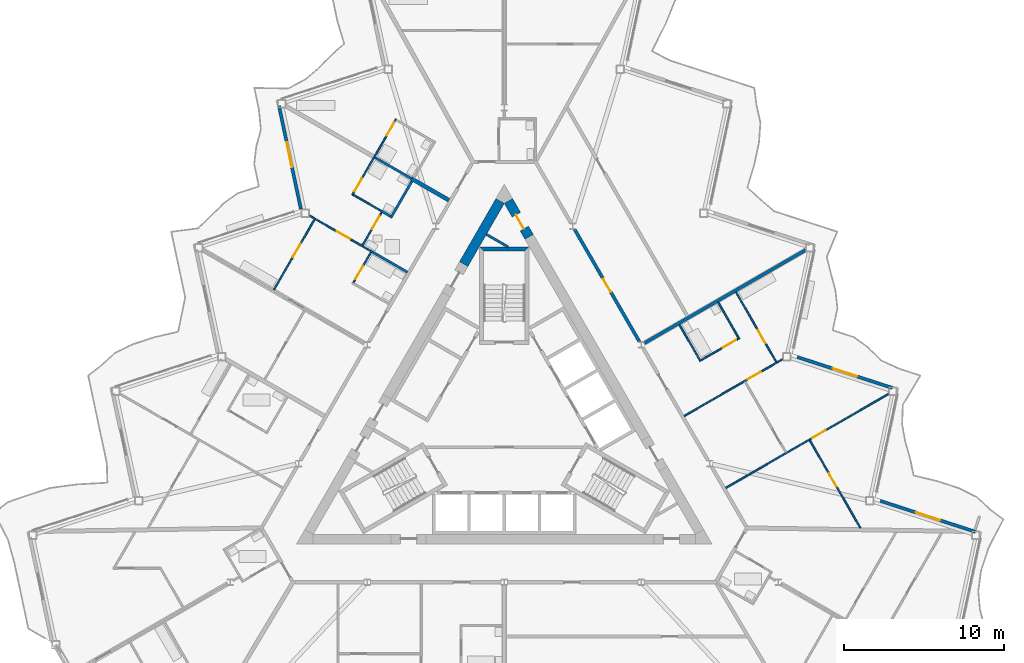
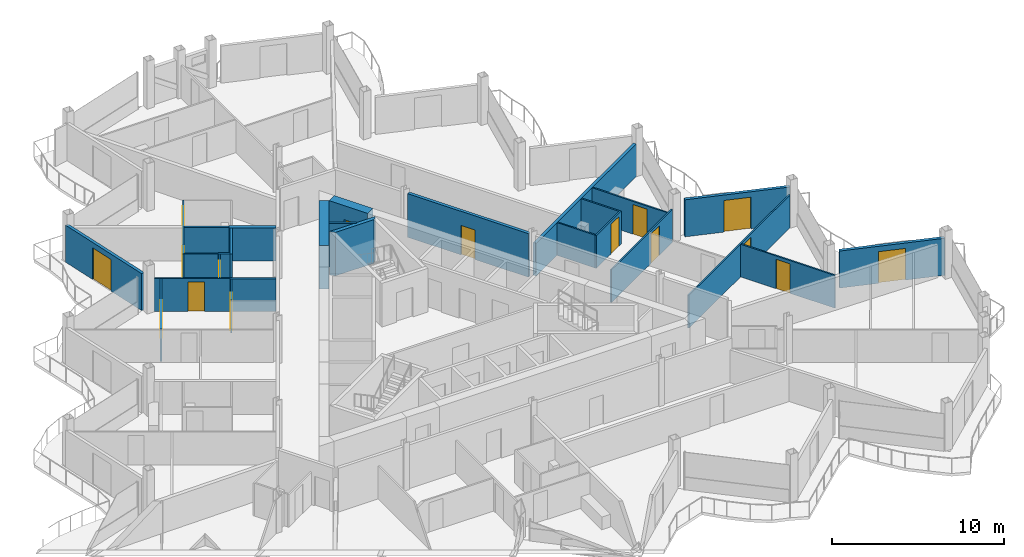
# One storey, part 16 of 26: 27 walls, 16 doors, 16 openings.
"""IFC4 building model written with IfcOpenShell, lengths in metres."""

import ifcopenshell
import ifcopenshell.guid

model = None  # the IFC model being written
_history = None  # IfcOwnerHistory: only IFC2X3 demands one
_inside = {}  # id of a spatial element -> (the spatial element, [elements in it])
_under = {}  # id of a project, library or spatial element -> (it, [spatial elements below it])
_declared = {}  # id of a project -> (the project, [libraries it declares])
_typed = {}  # id of a type object -> (the type object, [elements of that type])
_made_of = {}  # id of a material, layer set ... -> (it, [elements and type objects made of it])


def new_model(schema):
    """Start an empty IFC model of exactly this schema.

    Asked for "IFC4X3", IfcOpenShell would pick the latest addendum, in which some entities
    have other attributes; the version numbers below select the first issue.
    IFC2X3 requires an IfcOwnerHistory on every rooted entity: one is made here for all.
    """
    global model, _history
    if schema == "IFC4X3":
        model = ifcopenshell.file(schema_version=(4, 3, 0, 0))
    else:
        model = ifcopenshell.file(schema=schema)
    _inside.clear()
    _under.clear()
    _declared.clear()
    _typed.clear()
    _made_of.clear()
    _history = None
    if model.schema == "IFC2X3":
        org = make("IfcOrganization", Name="unknown")
        user = make(
            "IfcPersonAndOrganization",
            ThePerson=make("IfcPerson", FamilyName="unknown"),
            TheOrganization=org,
        )
        app = make(
            "IfcApplication",
            ApplicationDeveloper=org,
            Version="unknown",
            ApplicationFullName="unknown",
            ApplicationIdentifier="unknown",
        )
        _history = make(
            "IfcOwnerHistory",
            OwningUser=user,
            OwningApplication=app,
            ChangeAction="ADDED",
            CreationDate=0,
        )
    return model


def make(cls, **values):
    """One entity of the class cls with the attributes given. An attribute that is None is left unset."""
    return model.create_entity(
        cls, **{name: value for name, value in values.items() if value is not None}
    )


def rooted(cls, **values):
    """An entity with a GlobalId (a new one), such as an element, a storey or a relation."""
    return make(cls, GlobalId=ifcopenshell.guid.new(), OwnerHistory=_history, **values)


def si_unit(unit_type, name, prefix=None):
    """IfcSIUnit, for example si_unit("LENGTHUNIT", "METRE", prefix="MILLI")."""
    return make("IfcSIUnit", UnitType=unit_type, Prefix=prefix, Name=name)


def assignment(units):
    """IfcUnitAssignment: the units of a project."""
    return None if units is None else make("IfcUnitAssignment", Units=units)


def point(xyz):
    """IfcCartesianPoint."""
    return None if xyz is None else make("IfcCartesianPoint", Coordinates=xyz)


def direction(xyz):
    """IfcDirection."""
    return None if xyz is None else make("IfcDirection", DirectionRatios=xyz)


def frame(location, z_axis=None, x_axis=None):
    """IfcAxis2Placement3D, a coordinate frame: its origin and axes. An axis left out is left unset."""
    return make(
        "IfcAxis2Placement3D",
        Location=point(location),
        Axis=direction(z_axis),
        RefDirection=direction(x_axis),
    )


def frame_2d(location, x_axis=None):
    """IfcAxis2Placement2D, a coordinate frame in the plane: its origin and x axis."""
    return make(
        "IfcAxis2Placement2D", Location=point(location), RefDirection=direction(x_axis)
    )


def origin():
    """The frame at (0, 0, 0) with its axes left unset."""
    return frame((0.0, 0.0, 0.0))


def place(relative_to, where):
    """IfcLocalPlacement: puts the frame where relative to a parent placement (None: the world)."""
    return make(
        "IfcLocalPlacement", PlacementRelTo=relative_to, RelativePlacement=where
    )


def context(
    kind, dimensions, precision=None, world=None, true_north=None, identifier=None
):
    """IfcGeometricRepresentationContext, for example the 3D "Model" context."""
    return make(
        "IfcGeometricRepresentationContext",
        ContextIdentifier=identifier,
        ContextType=kind,
        CoordinateSpaceDimension=dimensions,
        Precision=precision,
        WorldCoordinateSystem=world,
        TrueNorth=true_north,
    )


def subcontext(parent, identifier, kind, view, scale=None):
    """IfcGeometricRepresentationSubContext, for example "Body" below "Model"."""
    return make(
        "IfcGeometricRepresentationSubContext",
        ContextIdentifier=identifier,
        ContextType=kind,
        ParentContext=parent,
        TargetScale=scale,
        TargetView=view,
    )


def project(units=None, contexts=None):
    """IfcProject with its units and contexts."""
    return rooted(
        "IfcProject",
        Name="project",
        RepresentationContexts=contexts,
        UnitsInContext=assignment(units),
    )


def spatial(cls, under=None, at=None, **own):
    """A site, building, storey or space (cls), placed at a placement, below another one or the project."""
    s = rooted(cls, ObjectPlacement=at, **own)
    if under is not None:
        _under.setdefault(under.id(), (under, []))[1].append(s)
    return s


def polyline(points):
    """IfcPolyline through the points."""
    return make("IfcPolyline", Points=[point(p) for p in points])


def profile(cls, at=None, kind="AREA", **sizes):
    """A parametric profile (cls). Its sizes go by their IFC names, for example OverallWidth=200.0."""
    return make(cls, ProfileType=kind, Position=at, **sizes)


def rectangle(**sizes):
    """IfcRectangleProfileDef."""
    return profile("IfcRectangleProfileDef", **sizes)


def outline(outer, holes=None, kind="AREA"):
    """IfcArbitraryClosedProfileDef: a profile drawn as a closed curve; with holes, ...WithVoids."""
    if holes is None:
        return make("IfcArbitraryClosedProfileDef", ProfileType=kind, OuterCurve=outer)
    return make(
        "IfcArbitraryProfileDefWithVoids",
        ProfileType=kind,
        OuterCurve=outer,
        InnerCurves=holes,
    )


def extrude(swept, where, along, depth):
    """IfcExtrudedAreaSolid: the profile swept, set in the frame where, extruded along a direction by depth."""
    return make(
        "IfcExtrudedAreaSolid",
        SweptArea=swept,
        Position=where,
        ExtrudedDirection=direction(along),
        Depth=depth,
    )


def shape(context_of_items, identifier, shape_type, items):
    """IfcShapeRepresentation: the items that make up one representation, for example the "Body"."""
    return make(
        "IfcShapeRepresentation",
        ContextOfItems=context_of_items,
        RepresentationIdentifier=identifier,
        RepresentationType=shape_type,
        Items=items,
    )


def material(Name=None, Category=None):
    """IfcMaterial."""
    return make("IfcMaterial", Name=Name, Category=Category)


def layer(
    of_material, thickness, ventilated=None, Name=None, Category=None, Priority=None
):
    """IfcMaterialLayer: one layer of a wall or slab, of a material (None: an air gap)."""
    return make(
        "IfcMaterialLayer",
        Material=of_material,
        LayerThickness=thickness,
        IsVentilated=ventilated,
        Name=Name,
        Category=Category,
        Priority=Priority,
    )


def layer_set(layers, Name=None):
    """IfcMaterialLayerSet."""
    return make("IfcMaterialLayerSet", MaterialLayers=layers, LayerSetName=Name)


def made_of(thing, what):
    """Note that an element or type object is made of a material, layer set ...; save() writes the relation."""
    if what is not None:
        _made_of.setdefault(what.id(), (what, []))[1].append(thing)
    return thing


def type_object(cls, material=None, **own):
    """A type object (cls), such as IfcWallType, which elements share."""
    return made_of(rooted(cls, **own), material)


def element(
    cls,
    number,
    at=None,
    inside=None,
    cuts=None,
    type_object=None,
    material=None,
    context=None,
    identifier="Body",
    shape_type=None,
    held_by="IfcProductDefinitionShape",
    body=None,
    shapes=None,
    **own,
):
    """One element of the class cls, such as IfcWall. Its Tag is "e" and its number.

    at: its placement. inside: the storey or other place that contains it. cuts: it is an
    opening in that element (IfcRelVoidsElement). A single representation is given by context,
    identifier, shape_type and body (its items); several are given by shapes. held_by: the class
    of the entity that holds the representations. save() writes the other relations.
    """
    e = rooted(cls, Tag="e%d" % number, ObjectPlacement=at, **own)
    if body is not None:
        shapes = [shape(context, identifier, shape_type, body)]
    if shapes is not None:
        e.Representation = make(held_by, Representations=shapes)
    if inside is not None:
        _inside.setdefault(inside.id(), (inside, []))[1].append(e)
    if cuts is not None:
        rooted(
            "IfcRelVoidsElement", RelatingBuildingElement=cuts, RelatedOpeningElement=e
        )
    if type_object is not None:
        _typed.setdefault(type_object.id(), (type_object, []))[1].append(e)
    return made_of(e, material)


def fill(opening, filler):
    """IfcRelFillsElement: the door or window that sits in an opening."""
    return rooted(
        "IfcRelFillsElement",
        RelatingOpeningElement=opening,
        RelatedBuildingElement=filler,
    )


def aggregate(whole, parts):
    """IfcRelAggregates: a whole, such as a stair, and the parts it consists of."""
    return rooted("IfcRelAggregates", RelatingObject=whole, RelatedObjects=parts)


def save(model, path):
    """Write the relations noted so far, then the file.

    IfcRelAggregates (storeys below a building ...), IfcRelContainedInSpatialStructure (elements
    in a storey), IfcRelDefinesByType, IfcRelAssociatesMaterial and IfcRelDeclares: one each for
    every whole, place, type object, material and project.
    """
    for whole, parts in _under.values():
        aggregate(whole, parts)
    for where, things in _inside.values():
        rooted(
            "IfcRelContainedInSpatialStructure",
            RelatedElements=things,
            RelatingStructure=where,
        )
    for kind, things in _typed.values():
        rooted("IfcRelDefinesByType", RelatedObjects=things, RelatingType=kind)
    for what, things in _made_of.values():
        rooted("IfcRelAssociatesMaterial", RelatedObjects=things, RelatingMaterial=what)
    for by, libraries in _declared.values():
        rooted("IfcRelDeclares", RelatingContext=by, RelatedDefinitions=libraries)
    model.write(path)


model = new_model("IFC4")

# Units and contexts
model_context = context("Model", 3, precision=1e-05, world=origin(), true_north=direction((0.0, 1.0)))
body_context = subcontext(model_context, "Body", "Model", "MODEL_VIEW")
ifc_project = project(units=[si_unit("LENGTHUNIT", "METRE"), si_unit("AREAUNIT", "SQUARE_METRE"), si_unit("VOLUMEUNIT", "CUBIC_METRE"), si_unit("PLANEANGLEUNIT", "RADIAN"), si_unit("MASSUNIT", "GRAM", prefix="KILO")], contexts=[model_context])

# Site, building, storey
site_placement = place(None, origin())
site = spatial("IfcSite", under=ifc_project, at=site_placement, CompositionType="ELEMENT")
building_placement = place(site_placement, origin())
building = spatial("IfcBuilding", under=site, at=building_placement, Name="Cormorant Prow Tower", CompositionType="ELEMENT")
storey_placement = place(building_placement, frame((0.0, 0.0, 384.800048828125)))
storey = spatial("IfcBuildingStorey", under=building, at=storey_placement, Name="L87", CompositionType="ELEMENT", Elevation=384.800048828125)

# Walls
ifc_material_1 = material(Name="Gypsum board partition")
ifc_layer_1 = layer(ifc_material_1, 0.14990234375)
ifc_layer_set_1 = layer_set([ifc_layer_1], Name="Gypsum board partition")
wall_type_1 = type_object("IfcWallType", Name="Core partition 150", PredefinedType="PARTITIONING", material=ifc_layer_set_1)
wall_1_placement = place(storey_placement, frame((-1.119140625, 11.872802734375, 0.0), z_axis=(0.0, 0.0, 1.0), x_axis=(0.865992812752, -0.500056445075, 0.0)))
element("IfcWall", 1, at=wall_1_placement, inside=storey, type_object=wall_type_1, Name="Service room partition", PredefinedType="PARTITIONING", context=body_context, shape_type="SweptSolid", body=[
    extrude(rectangle(XDim=1.581787109375, YDim=0.14990234375, at=frame_2d((0.791015625, 0.0))), origin(), (0.0, 0.0, 1.0), 3.099853515625),
])
ifc_material_2 = material(Name="Concrete 8000 psi", Category="concrete")
ifc_layer_2 = layer(ifc_material_2, 0.60009765625)
ifc_layer_set_2 = layer_set([ifc_layer_2], Name="Concrete 8000 psi")
wall_type_2 = type_object("IfcWallType", Name="Core shear wall 600", PredefinedType="SHEAR", material=ifc_layer_set_2)
wall_2_placement = place(storey_placement, frame((-0.259765625, 13.961181640625, 0.0), z_axis=(0.0, 0.0, 1.0), x_axis=(-0.499980485389, -0.866036670257, 0.0)))
element("IfcWall", 2, at=wall_2_placement, inside=storey, type_object=wall_type_2, Name="Core wall", PredefinedType="SHEAR", context=body_context, shape_type="SweptSolid", body=[
    extrude(rectangle(XDim=4.559326171875, YDim=0.60009765625, at=frame_2d((2.27978515625, 0.0))), origin(), (0.0, 0.0, 1.0), 3.099853515625),
])

# Wall, opening, door
wall_3_placement = place(storey_placement, frame((1.555908203125, 11.71630859375, 0.0), z_axis=(0.0, 0.0, 1.0), x_axis=(-0.500018667571, 0.866014625789, 0.0)))
wall_3 = element("IfcWall", 3, at=wall_3_placement, inside=storey, type_object=wall_type_2, Name="Core wall door panel", PredefinedType="SHEAR", context=body_context, shape_type="SweptSolid", body=[
    extrude(rectangle(XDim=2.59228515625, YDim=0.60009765625, at=frame_2d((1.296142578125, 0.0))), origin(), (0.0, 0.0, 1.0), 3.099853515625),
])
opening_1_placement = place(wall_3_placement, frame((0.60009765625, 0.0, 0.0)))
opening_1 = element("IfcOpeningElement", 4, at=opening_1_placement, cuts=wall_3, Name="Opening L87-C20", PredefinedType="OPENING", context=body_context, shape_type="SweptSolid", body=[
    extrude(rectangle(XDim=1.0, YDim=2.10009765625, at=frame_2d((0.5, 1.050048828125))), frame((0.0, 0.31005859375, 0.0), z_axis=(0.0, -1.0, 0.0), x_axis=(1.0, 0.0, 0.0)), (0.0, 0.0, 1.0), 0.6201171875),
])
ifc_material_3 = material(Name="Painted steel", Category="steel")
door_type_1 = type_object("IfcDoorType", Name="Service door 1000x2100", OperationType="NOTDEFINED", PredefinedType="DOOR", material=ifc_material_3)
door_1_placement = place(opening_1_placement, origin())
door_1 = element("IfcDoor", 5, at=door_1_placement, inside=storey, type_object=door_type_1, Name="Core door, Pantry store", OperationType="SINGLE_SWING_RIGHT", OverallHeight=2.10009765625, OverallWidth=1.0, PredefinedType="DOOR", context=body_context, shape_type="SweptSolid", body=[
    extrude(rectangle(XDim=1.0, YDim=2.10009765625, at=frame_2d((0.5, 1.050048828125))), frame((0.0, 0.05517578125, 0.0), z_axis=(0.0, -1.0, 0.0), x_axis=(1.0, 0.0, 0.0)), (0.0, 0.0, 1.0), 0.050048828125),
])
fill(opening_1, door_1)

ifc_material_4 = material(Name="Gypsum board corridor wall")
ifc_layer_3 = layer(ifc_material_4, 0.199951171875)
ifc_layer_set_3 = layer_set([ifc_layer_3], Name="Gypsum board corridor wall")
wall_type_3 = type_object("IfcWallType", Name="Corridor wall 200", PredefinedType="PARTITIONING", material=ifc_layer_set_3)
wall_4_placement = place(storey_placement, frame((4.403076171875, 12.184814453125, 0.0), z_axis=(0.0, 0.0, 1.0), x_axis=(0.499992155518, -0.866029932751, 0.0)))
wall_4 = element("IfcWall", 6, at=wall_4_placement, inside=storey, type_object=wall_type_3, Name="Corridor wall", PredefinedType="PARTITIONING", context=body_context, shape_type="SweptSolid", body=[
    extrude(rectangle(XDim=8.123291015625, YDim=0.199951171875, at=frame_2d((4.0615234375, 0.0))), origin(), (0.0, 0.0, 1.0), 3.099853515625),
])
opening_2_placement = place(wall_4_placement, frame((3.586669921875, 0.0, 0.0)))
opening_2 = element("IfcOpeningElement", 7, at=opening_2_placement, cuts=wall_4, Name="Opening L87-F23", PredefinedType="OPENING", context=body_context, shape_type="SweptSolid", body=[
    extrude(rectangle(XDim=0.949951171875, YDim=2.10009765625, at=frame_2d((0.47509765625, 1.050048828125))), frame((0.0, 0.10986328125, 0.0), z_axis=(0.0, -1.0, 0.0), x_axis=(1.0, 0.0, 0.0)), (0.0, 0.0, 1.0), 0.219970703125),
])
ifc_material_5 = material(Name="Timber door leaf", Category="wood")
door_type_2 = type_object("IfcDoorType", Name="Store door 950x2100", OperationType="NOTDEFINED", PredefinedType="DOOR", material=ifc_material_5)
door_2_placement = place(opening_2_placement, origin())
door_2 = element("IfcDoor", 8, at=door_2_placement, inside=storey, type_object=door_type_2, Name="Refuse room door", OperationType="SINGLE_SWING_LEFT", OverallHeight=2.10009765625, OverallWidth=0.949951171875, PredefinedType="DOOR", context=body_context, shape_type="SweptSolid", body=[
    extrude(rectangle(XDim=0.949951171875, YDim=2.10009765625, at=frame_2d((0.47509765625, 1.050048828125))), frame((0.0, 0.02490234375, 0.0), z_axis=(0.0, -1.0, 0.0), x_axis=(1.0, 0.0, 0.0)), (0.0, 0.0, 1.0), 0.050048828125),
])
fill(opening_2, door_2)

# Wall
ifc_material_6 = material(Name="Gypsum board demising wall")
ifc_layer_4 = layer(ifc_material_6, 0.199951171875)
ifc_layer_set_4 = layer_set([ifc_layer_4], Name="Gypsum board demising wall")
wall_type_4 = type_object("IfcWallType", Name="Demising wall 200", PredefinedType="PARTITIONING", material=ifc_layer_set_4)
wall_5_placement = place(storey_placement, frame((8.775390625, 5.06640625, 0.0), z_axis=(0.0, 0.0, 1.0), x_axis=(0.866023724155, 0.500002909193, 0.0)))
element("IfcWall", 9, at=wall_5_placement, inside=storey, type_object=wall_type_4, Name="Demising wall", PredefinedType="PARTITIONING", context=body_context, shape_type="SweptSolid", body=[
    extrude(rectangle(XDim=11.65478515625, YDim=0.199951171875, at=frame_2d((5.827392578125, 0.0))), origin(), (0.0, 0.0, 1.0), 2.330078125),
])

# Wall, opening, door
ifc_material_7 = material(Name="Gypsum board partition")
ifc_layer_5 = layer(ifc_material_7, 0.10009765625)
ifc_layer_set_5 = layer_set([ifc_layer_5], Name="Gypsum board partition")
wall_type_5 = type_object("IfcWallType", Name="Internal partition 100", PredefinedType="PARTITIONING", material=ifc_layer_set_5)
wall_6_placement = place(storey_placement, frame((13.864990234375, -4.00390625, 0.0), z_axis=(0.0, 0.0, 1.0), x_axis=(0.866023404247, 0.500003463284, 0.0)))
wall_6 = element("IfcWall", 10, at=wall_6_placement, inside=storey, type_object=wall_type_5, Name="Internal partition", PredefinedType="PARTITIONING", context=body_context, shape_type="SweptSolid", body=[
    extrude(rectangle(XDim=11.7822265625, YDim=0.10009765625, at=frame_2d((5.89111328125, 0.0))), origin(), (0.0, 0.0, 1.0), 2.330078125),
])
opening_3_placement = place(wall_6_placement, frame((6.2685546875, 0.0, 0.0)))
opening_3 = element("IfcOpeningElement", 11, at=opening_3_placement, cuts=wall_6, Name="Opening L87-F21", PredefinedType="OPENING", context=body_context, shape_type="SweptSolid", body=[
    extrude(rectangle(XDim=0.949951171875, YDim=2.10009765625, at=frame_2d((0.47509765625, 1.050048828125))), frame((0.0, 0.06005859375, 0.0), z_axis=(0.0, -1.0, 0.0), x_axis=(1.0, 0.0, 0.0)), (0.0, 0.0, 1.0), 0.1201171875),
])
ifc_material_8 = material(Name="Timber door leaf", Category="wood")
door_type_3 = type_object("IfcDoorType", Name="Bathroom door 950x2100", OperationType="NOTDEFINED", PredefinedType="DOOR", material=ifc_material_8)
door_3_placement = place(opening_3_placement, origin())
door_3 = element("IfcDoor", 12, at=door_3_placement, inside=storey, type_object=door_type_3, Name="Bedroom door", OperationType="SINGLE_SWING_LEFT", OverallHeight=2.10009765625, OverallWidth=0.949951171875, PredefinedType="DOOR", context=body_context, shape_type="SweptSolid", body=[
    extrude(rectangle(XDim=0.949951171875, YDim=2.10009765625, at=frame_2d((0.47509765625, 1.050048828125))), frame((0.0, 0.02490234375, 0.0), z_axis=(0.0, -1.0, 0.0), x_axis=(1.0, 0.0, 0.0)), (0.0, 0.0, 1.0), 0.050048828125),
])
fill(opening_3, door_3)

wall_7_placement = place(storey_placement, frame((11.26513671875, 0.49951171875, 0.0), z_axis=(0.0, 0.0, 1.0), x_axis=(0.866033839264, 0.499985389037, 0.0)))
wall_7 = element("IfcWall", 13, at=wall_7_placement, inside=storey, type_object=wall_type_5, Name="Internal partition", PredefinedType="PARTITIONING", context=body_context, shape_type="SweptSolid", body=[
    extrude(rectangle(XDim=7.099853515625, YDim=0.10009765625, at=frame_2d((3.5498046875, 0.0))), origin(), (0.0, 0.0, 1.0), 2.330078125),
])
opening_4_placement = place(wall_7_placement, frame((4.58837890625, 0.0, 0.0)))
opening_4 = element("IfcOpeningElement", 14, at=opening_4_placement, cuts=wall_7, Name="Opening L87-F19", PredefinedType="OPENING", context=body_context, shape_type="SweptSolid", body=[
    extrude(rectangle(XDim=0.949951171875, YDim=2.10009765625, at=frame_2d((0.47509765625, 1.050048828125))), frame((0.0, 0.06005859375, 0.0), z_axis=(0.0, -1.0, 0.0), x_axis=(1.0, 0.0, 0.0)), (0.0, 0.0, 1.0), 0.1201171875),
])
door_4_placement = place(opening_4_placement, origin())
door_4 = element("IfcDoor", 15, at=door_4_placement, inside=storey, type_object=door_type_3, Name="Living room door", OperationType="SINGLE_SWING_LEFT", OverallHeight=2.10009765625, OverallWidth=0.949951171875, PredefinedType="DOOR", context=body_context, shape_type="SweptSolid", body=[
    extrude(rectangle(XDim=0.949951171875, YDim=2.10009765625, at=frame_2d((0.47509765625, 1.050048828125))), frame((0.0, 0.02490234375, 0.0), z_axis=(0.0, -1.0, 0.0), x_axis=(1.0, 0.0, 0.0)), (0.0, 0.0, 1.0), 0.050048828125),
])
fill(opening_4, door_4)

wall_8_placement = place(storey_placement, frame((19.12841796875, -1.022705078125, 0.0), z_axis=(0.0, 0.0, 1.0), x_axis=(0.499991387631, -0.866030376081, 0.0)))
wall_8 = element("IfcWall", 16, at=wall_8_placement, inside=storey, type_object=wall_type_5, Name="Internal partition", PredefinedType="PARTITIONING", context=body_context, shape_type="SweptSolid", body=[
    extrude(rectangle(XDim=6.3388671875, YDim=0.10009765625, at=frame_2d((3.16943359375, 0.0))), origin(), (0.0, 0.0, 1.0), 2.330078125),
])
opening_5_placement = place(wall_8_placement, frame((2.388916015625, 0.0, 0.0)))
opening_5 = element("IfcOpeningElement", 17, at=opening_5_placement, cuts=wall_8, Name="Opening L87-F22", PredefinedType="OPENING", context=body_context, shape_type="SweptSolid", body=[
    extrude(rectangle(XDim=0.949951171875, YDim=2.10009765625, at=frame_2d((0.47509765625, 1.050048828125))), frame((0.0, 0.06005859375, 0.0), z_axis=(0.0, -1.0, 0.0), x_axis=(1.0, 0.0, 0.0)), (0.0, 0.0, 1.0), 0.1201171875),
])
door_5_placement = place(opening_5_placement, origin())
door_5 = element("IfcDoor", 18, at=door_5_placement, inside=storey, type_object=door_type_3, Name="Bedroom door", OperationType="SINGLE_SWING_LEFT", OverallHeight=2.10009765625, OverallWidth=0.949951171875, PredefinedType="DOOR", context=body_context, shape_type="SweptSolid", body=[
    extrude(rectangle(XDim=0.949951171875, YDim=2.10009765625, at=frame_2d((0.47509765625, 1.050048828125))), frame((0.0, 0.02490234375, 0.0), z_axis=(0.0, -1.0, 0.0), x_axis=(1.0, 0.0, 0.0)), (0.0, 0.0, 1.0), 0.050048828125),
])
fill(opening_5, door_5)

# Wall, openings, doors
wall_9_placement = place(storey_placement, frame((-9.5166015625, 14.327880859375, 0.0), z_axis=(0.0, 0.0, 1.0), x_axis=(0.499996545922, 0.866027397988, 0.0)))
wall_9 = element("IfcWall", 19, at=wall_9_placement, inside=storey, type_object=wall_type_5, Name="Internal partition", PredefinedType="PARTITIONING", context=body_context, shape_type="SweptSolid", body=[
    extrude(rectangle(XDim=5.5, YDim=0.10009765625, at=frame_2d((2.75, 0.0))), origin(), (0.0, 0.0, 1.0), 2.330078125),
])
opening_6_placement = place(wall_9_placement, frame((4.300048828125, 0.0, 0.0)))
opening_6 = element("IfcOpeningElement", 20, at=opening_6_placement, cuts=wall_9, Name="Opening L87-F32", PredefinedType="OPENING", context=body_context, shape_type="SweptSolid", body=[
    extrude(rectangle(XDim=0.949951171875, YDim=2.10009765625, at=frame_2d((0.47509765625, 1.050048828125))), frame((0.0, 0.06005859375, 0.0), z_axis=(0.0, -1.0, 0.0), x_axis=(1.0, 0.0, 0.0)), (0.0, 0.0, 1.0), 0.1201171875),
])
opening_7_placement = place(wall_9_placement, frame((0.25, 0.0, 0.0)))
opening_7 = element("IfcOpeningElement", 21, at=opening_7_placement, cuts=wall_9, Name="Opening L87-F40", PredefinedType="OPENING", context=body_context, shape_type="SweptSolid", body=[
    extrude(rectangle(XDim=0.949951171875, YDim=2.10009765625, at=frame_2d((0.47509765625, 1.050048828125))), frame((0.0, 0.06005859375, 0.0), z_axis=(0.0, -1.0, 0.0), x_axis=(1.0, 0.0, 0.0)), (0.0, 0.0, 1.0), 0.1201171875),
])
door_6_placement = place(opening_6_placement, origin())
door_6 = element("IfcDoor", 22, at=door_6_placement, inside=storey, type_object=door_type_3, Name="Studio living, kitchen and sleeping room door", OperationType="SINGLE_SWING_RIGHT", OverallHeight=2.10009765625, OverallWidth=0.949951171875, PredefinedType="DOOR", context=body_context, shape_type="SweptSolid", body=[
    extrude(rectangle(XDim=0.949951171875, YDim=2.10009765625, at=frame_2d((0.47509765625, 1.050048828125))), frame((0.0, 0.02490234375, 0.0), z_axis=(0.0, -1.0, 0.0), x_axis=(1.0, 0.0, 0.0)), (0.0, 0.0, 1.0), 0.050048828125),
])
fill(opening_6, door_6)
door_7_placement = place(opening_7_placement, origin())
door_7 = element("IfcDoor", 23, at=door_7_placement, inside=storey, type_object=door_type_3, Name="Bedroom door", OperationType="SINGLE_SWING_LEFT", OverallHeight=2.10009765625, OverallWidth=0.949951171875, PredefinedType="DOOR", context=body_context, shape_type="SweptSolid", body=[
    extrude(rectangle(XDim=0.949951171875, YDim=2.10009765625, at=frame_2d((0.47509765625, 1.050048828125))), frame((0.0, 0.02490234375, 0.0), z_axis=(0.0, -1.0, 0.0), x_axis=(1.0, 0.0, 0.0)), (0.0, 0.0, 1.0), 0.050048828125),
])
fill(opening_7, door_7)

# Wall, opening, door
wall_10_placement = place(storey_placement, frame((14.503173828125, 8.258056640625, 0.0), z_axis=(0.0, 0.0, 1.0), x_axis=(0.500012591307, -0.866018134068, 0.0)))
wall_10 = element("IfcWall", 24, at=wall_10_placement, inside=storey, type_object=wall_type_5, Name="Internal partition", PredefinedType="PARTITIONING", context=body_context, shape_type="SweptSolid", body=[
    extrude(rectangle(XDim=5.050048828125, YDim=0.10009765625, at=frame_2d((2.52490234375, 0.0))), origin(), (0.0, 0.0, 1.0), 2.330078125),
])
opening_8_placement = place(wall_10_placement, frame((2.75, 0.0, 0.0)))
opening_8 = element("IfcOpeningElement", 25, at=opening_8_placement, cuts=wall_10, Name="Opening L87-F18", PredefinedType="OPENING", context=body_context, shape_type="SweptSolid", body=[
    extrude(rectangle(XDim=0.949951171875, YDim=2.10009765625, at=frame_2d((0.47509765625, 1.050048828125))), frame((0.0, 0.06005859375, 0.0), z_axis=(0.0, -1.0, 0.0), x_axis=(1.0, 0.0, 0.0)), (0.0, 0.0, 1.0), 0.1201171875),
])
door_8_placement = place(opening_8_placement, origin())
door_8 = element("IfcDoor", 26, at=door_8_placement, inside=storey, type_object=door_type_3, Name="Living room door", OperationType="SINGLE_SWING_RIGHT", OverallHeight=2.10009765625, OverallWidth=0.949951171875, PredefinedType="DOOR", context=body_context, shape_type="SweptSolid", body=[
    extrude(rectangle(XDim=0.949951171875, YDim=2.10009765625, at=frame_2d((0.47509765625, 1.050048828125))), frame((0.0, 0.02490234375, 0.0), z_axis=(0.0, -1.0, 0.0), x_axis=(1.0, 0.0, 0.0)), (0.0, 0.0, 1.0), 0.050048828125),
])
fill(opening_8, door_8)

wall_11_placement = place(storey_placement, frame((-14.42822265625, 8.387939453125, 0.0), z_axis=(0.0, 0.0, 1.0), x_axis=(0.500005610874, 0.86602216432, 0.0)))
wall_11 = element("IfcWall", 27, at=wall_11_placement, inside=storey, type_object=wall_type_5, Name="Internal partition", PredefinedType="PARTITIONING", context=body_context, shape_type="SweptSolid", body=[
    extrude(rectangle(XDim=5.10009765625, YDim=0.10009765625, at=frame_2d((2.550048828125, 0.0))), origin(), (0.0, 0.0, 1.0), 2.330078125),
])
opening_9_placement = place(wall_11_placement, frame((2.379150390625, 0.0, 0.0)))
opening_9 = element("IfcOpeningElement", 28, at=opening_9_placement, cuts=wall_11, Name="Opening L87-F35", PredefinedType="OPENING", context=body_context, shape_type="SweptSolid", body=[
    extrude(rectangle(XDim=0.949951171875, YDim=2.10009765625, at=frame_2d((0.47509765625, 1.050048828125))), frame((0.0, 0.06005859375, 0.0), z_axis=(0.0, -1.0, 0.0), x_axis=(1.0, 0.0, 0.0)), (0.0, 0.0, 1.0), 0.1201171875),
])
door_9_placement = place(opening_9_placement, origin())
door_9 = element("IfcDoor", 29, at=door_9_placement, inside=storey, type_object=door_type_3, Name="Living room door", OperationType="SINGLE_SWING_LEFT", OverallHeight=2.10009765625, OverallWidth=0.949951171875, PredefinedType="DOOR", context=body_context, shape_type="SweptSolid", body=[
    extrude(rectangle(XDim=0.949951171875, YDim=2.10009765625, at=frame_2d((0.47509765625, 1.050048828125))), frame((0.0, 0.02490234375, 0.0), z_axis=(0.0, -1.0, 0.0), x_axis=(1.0, 0.0, 0.0)), (0.0, 0.0, 1.0), 0.050048828125),
])
fill(opening_9, door_9)

wall_12_placement = place(storey_placement, frame((-12.2138671875, 13.05615234375, 0.0), z_axis=(0.0, 0.0, 1.0), x_axis=(0.866017452598, -0.500013771606, 0.0)))
wall_12 = element("IfcWall", 30, at=wall_12_placement, inside=storey, type_object=wall_type_5, Name="Internal partition", PredefinedType="PARTITIONING", context=body_context, shape_type="SweptSolid", body=[
    extrude(rectangle(XDim=4.42529296875, YDim=0.10009765625, at=frame_2d((2.212646484375, 0.0))), origin(), (0.0, 0.0, 1.0), 2.330078125),
])
opening_10_placement = place(wall_12_placement, frame((1.993896484375, 0.0, 0.0)))
opening_10 = element("IfcOpeningElement", 31, at=opening_10_placement, cuts=wall_12, Name="Opening L87-F36", PredefinedType="OPENING", context=body_context, shape_type="SweptSolid", body=[
    extrude(rectangle(XDim=0.949951171875, YDim=2.10009765625, at=frame_2d((0.47509765625, 1.050048828125))), frame((0.0, 0.06005859375, 0.0), z_axis=(0.0, -1.0, 0.0), x_axis=(1.0, 0.0, 0.0)), (0.0, 0.0, 1.0), 0.1201171875),
])
door_10_placement = place(opening_10_placement, origin())
door_10 = element("IfcDoor", 32, at=door_10_placement, inside=storey, type_object=door_type_3, Name="Living room door", OperationType="SINGLE_SWING_RIGHT", OverallHeight=2.10009765625, OverallWidth=0.949951171875, PredefinedType="DOOR", context=body_context, shape_type="SweptSolid", body=[
    extrude(rectangle(XDim=0.949951171875, YDim=2.10009765625, at=frame_2d((0.47509765625, 1.050048828125))), frame((0.0, 0.02490234375, 0.0), z_axis=(0.0, -1.0, 0.0), x_axis=(1.0, 0.0, 0.0)), (0.0, 0.0, 1.0), 0.050048828125),
])
fill(opening_10, door_10)

wall_13_placement = place(storey_placement, frame((12.223388671875, 3.939453125, 0.0), z_axis=(0.0, 0.0, 1.0), x_axis=(0.866032775405, 0.499987231761, 0.0)))
wall_13 = element("IfcWall", 33, at=wall_13_placement, inside=storey, type_object=wall_type_5, Name="Internal partition", PredefinedType="PARTITIONING", context=body_context, shape_type="SweptSolid", body=[
    extrude(rectangle(XDim=2.89990234375, YDim=0.10009765625, at=frame_2d((1.449951171875, 0.0))), origin(), (0.0, 0.0, 1.0), 2.330078125),
])
opening_11_placement = place(wall_13_placement, frame((1.699951171875, 0.0, 0.0)))
opening_11 = element("IfcOpeningElement", 34, at=opening_11_placement, cuts=wall_13, Name="Opening L87-F17", PredefinedType="OPENING", context=body_context, shape_type="SweptSolid", body=[
    extrude(rectangle(XDim=0.949951171875, YDim=2.10009765625, at=frame_2d((0.47509765625, 1.050048828125))), frame((0.0, 0.06005859375, 0.0), z_axis=(0.0, -1.0, 0.0), x_axis=(1.0, 0.0, 0.0)), (0.0, 0.0, 1.0), 0.1201171875),
])
door_11_placement = place(opening_11_placement, origin())
door_11 = element("IfcDoor", 35, at=door_11_placement, inside=storey, type_object=door_type_3, Name="Living room door", OperationType="SINGLE_SWING_RIGHT", OverallHeight=2.10009765625, OverallWidth=0.949951171875, PredefinedType="DOOR", context=body_context, shape_type="SweptSolid", body=[
    extrude(rectangle(XDim=0.949951171875, YDim=2.10009765625, at=frame_2d((0.47509765625, 1.050048828125))), frame((0.0, 0.02490234375, 0.0), z_axis=(0.0, -1.0, 0.0), x_axis=(1.0, 0.0, 0.0)), (0.0, 0.0, 1.0), 0.050048828125),
])
fill(opening_11, door_11)

# Walls
for number, where, z_axis, x_axis, name in (
    (36, (10.966796875, 6.21630859375, 0.0), (0.0, 0.0, 1.0), (0.499948979701, -0.866054858364, 0.0), "Internal partition"),
    (37, (13.3916015625, 7.6162109375, 0.0), (0.0, 0.0, 1.0), (0.499948979701, -0.866054858364, 0.0), "Internal partition"),
):
    element("IfcWall", number, at=place(storey_placement, frame(where, z_axis=z_axis, x_axis=x_axis)), inside=storey, type_object=wall_type_5, Name=name, PredefinedType="PARTITIONING", context=body_context, shape_type="SweptSolid", body=[
        extrude(rectangle(XDim=2.550048828125, YDim=0.10009765625, at=frame_2d((1.27490234375, 0.0))), origin(), (0.0, 0.0, 1.0), 2.330078125),
    ])

# Wall, opening, door
wall_14_placement = place(storey_placement, frame((-8.871826171875, 11.184326171875, 0.0), z_axis=(0.0, 0.0, 1.0), x_axis=(0.499986429846, 0.866033238375, 0.0)))
wall_14 = element("IfcWall", 38, at=wall_14_placement, inside=storey, type_object=wall_type_5, Name="Internal partition", PredefinedType="PARTITIONING", context=body_context, shape_type="SweptSolid", body=[
    extrude(rectangle(XDim=2.375, YDim=0.10009765625, at=frame_2d((1.1875, 0.0))), origin(), (0.0, 0.0, 1.0), 2.330078125),
])
opening_12_placement = place(wall_14_placement, frame((1.175048828125, 0.0, 0.0)))
opening_12 = element("IfcOpeningElement", 39, at=opening_12_placement, cuts=wall_14, Name="Opening L87-F37", PredefinedType="OPENING", context=body_context, shape_type="SweptSolid", body=[
    extrude(rectangle(XDim=0.949951171875, YDim=2.10009765625, at=frame_2d((0.47509765625, 1.050048828125))), frame((0.0, 0.06005859375, 0.0), z_axis=(0.0, -1.0, 0.0), x_axis=(1.0, 0.0, 0.0)), (0.0, 0.0, 1.0), 0.1201171875),
])
door_12_placement = place(opening_12_placement, origin())
door_12 = element("IfcDoor", 40, at=door_12_placement, inside=storey, type_object=door_type_3, Name="Bedroom door", OperationType="SINGLE_SWING_RIGHT", OverallHeight=2.10009765625, OverallWidth=0.949951171875, PredefinedType="DOOR", context=body_context, shape_type="SweptSolid", body=[
    extrude(rectangle(XDim=0.949951171875, YDim=2.10009765625, at=frame_2d((0.47509765625, 1.050048828125))), frame((0.0, 0.02490234375, 0.0), z_axis=(0.0, -1.0, 0.0), x_axis=(1.0, 0.0, 0.0)), (0.0, 0.0, 1.0), 0.050048828125),
])
fill(opening_12, door_12)

wall_15_placement = place(storey_placement, frame((-9.441650390625, 8.857666015625, 0.0), z_axis=(0.0, 0.0, 1.0), x_axis=(0.499978335414, 0.866037911478, 0.0)))
wall_15 = element("IfcWall", 41, at=wall_15_placement, inside=storey, type_object=wall_type_5, Name="Internal partition", PredefinedType="PARTITIONING", context=body_context, shape_type="SweptSolid", body=[
    extrude(rectangle(XDim=2.1748046875, YDim=0.10009765625, at=frame_2d((1.08740234375, 0.0))), origin(), (0.0, 0.0, 1.0), 2.330078125),
])
opening_13_placement = place(wall_15_placement, frame((0.25, 0.0, 0.0)))
opening_13 = element("IfcOpeningElement", 42, at=opening_13_placement, cuts=wall_15, Name="Opening L87-F34", PredefinedType="OPENING", context=body_context, shape_type="SweptSolid", body=[
    extrude(rectangle(XDim=0.949951171875, YDim=2.10009765625, at=frame_2d((0.47509765625, 1.050048828125))), frame((0.0, 0.06005859375, 0.0), z_axis=(0.0, -1.0, 0.0), x_axis=(1.0, 0.0, 0.0)), (0.0, 0.0, 1.0), 0.1201171875),
])
door_13_placement = place(opening_13_placement, origin())
door_13 = element("IfcDoor", 43, at=door_13_placement, inside=storey, type_object=door_type_3, Name="Living room door", OperationType="SINGLE_SWING_LEFT", OverallHeight=2.10009765625, OverallWidth=0.949951171875, PredefinedType="DOOR", context=body_context, shape_type="SweptSolid", body=[
    extrude(rectangle(XDim=0.949951171875, YDim=2.10009765625, at=frame_2d((0.47509765625, 1.050048828125))), frame((0.0, 0.02490234375, 0.0), z_axis=(0.0, -1.0, 0.0), x_axis=(1.0, 0.0, 0.0)), (0.0, 0.0, 1.0), 0.050048828125),
])
fill(opening_13, door_13)

# Walls
wall_16_placement = place(storey_placement, frame((-9.4482421875, 14.34619140625, 0.0), z_axis=(0.0, 0.0, 1.0), x_axis=(0.866020521143, -0.500008456887, 0.0)))
element("IfcWall", 44, at=wall_16_placement, inside=storey, type_object=wall_type_5, Name="Internal partition", PredefinedType="PARTITIONING", context=body_context, shape_type="SweptSolid", body=[
    extrude(rectangle(XDim=1.9951171875, YDim=0.10009765625, at=frame_2d((0.99755859375, 0.0))), origin(), (0.0, 0.0, 1.0), 2.330078125),
])
ifc_material_9 = material(Name="Concrete 8000 psi", Category="concrete")
ifc_layer_6 = layer(ifc_material_9, 0.25)
ifc_layer_set_6 = layer_set([ifc_layer_6], Name="Concrete 8000 psi")
wall_type_6 = type_object("IfcWallType", Name="Stair wall 250", PredefinedType="SHEAR", material=ifc_layer_set_6)
wall_17_placement = place(storey_placement, origin())
element("IfcWall", 45, at=wall_17_placement, inside=storey, type_object=wall_type_6, Name="Stair ST3 enclosure wall (end)", PredefinedType="SHEAR", context=body_context, shape_type="SweptSolid", body=[
    extrude(outline(polyline([(1.5439453125, 11.0869140625), (-1.5439453125, 11.0869140625), (-1.2939453125, 10.8369140625), (1.2939453125, 10.8369140625), (1.5439453125, 11.0869140625)])), origin(), (0.0, 0.0, 1.0), 3.099853515625),
])
ifc_material_10 = material(Name="Acoustic gypsum party wall")
ifc_layer_7 = layer(ifc_material_10, 0.25)
ifc_layer_set_7 = layer_set([ifc_layer_7], Name="Acoustic gypsum party wall")
wall_type_7 = type_object("IfcWallType", Name="Suite party wall 250", PredefinedType="PARTITIONING", material=ifc_layer_set_7)
wall_18_placement = place(storey_placement, frame((-5.824951171875, 15.371826171875, 0.0), z_axis=(0.0, 0.0, 1.0), x_axis=(0.866051307416, -0.49995513091, 0.0)))
element("IfcWall", 46, at=wall_18_placement, inside=storey, type_object=wall_type_7, Name="Suite party wall", PredefinedType="PARTITIONING", context=body_context, shape_type="SweptSolid", body=[
    extrude(rectangle(XDim=2.724853515625, YDim=0.25, at=frame_2d((1.3623046875, 0.0))), origin(), (0.0, 0.0, 1.0), 2.330078125),
])

# Wall, opening, door
ifc_material_11 = material(Name="Terracotta", Category="masonry")
ifc_layer_8 = layer(ifc_material_11, 0.199951171875)
ifc_layer_set_8 = layer_set([ifc_layer_8], Name="Terracotta")
wall_type_8 = type_object("IfcWallType", Name="Terracotta jamb wall 200", PredefinedType="SOLIDWALL", material=ifc_layer_set_8)
wall_19_placement = place(storey_placement, frame((29.49951171875, -6.74951171875, 0.0), z_axis=(0.0, 0.0, 1.0), x_axis=(-0.951060123915, 0.309005891041, 0.0)))
wall_19 = element("IfcWall", 47, at=wall_19_placement, inside=storey, type_object=wall_type_8, Name="Terracotta jamb wall ENE01", PredefinedType="SOLIDWALL", context=body_context, shape_type="SweptSolid", body=[
    extrude(rectangle(XDim=6.265380859375, YDim=0.199951171875, at=frame_2d((3.1328125, 0.0))), origin(), (0.0, 0.0, 1.0), 2.6337890625),
])
opening_14_placement = place(wall_19_placement, frame((2.332763671875, 0.0, 0.0)))
opening_14 = element("IfcOpeningElement", 48, at=opening_14_placement, cuts=wall_19, Name="Opening ED87.06", PredefinedType="OPENING", context=body_context, shape_type="SweptSolid", body=[
    extrude(rectangle(XDim=1.60009765625, YDim=2.25, at=frame_2d((0.800048828125, 1.125))), frame((0.0, 0.10986328125, 0.0), z_axis=(0.0, -1.0, 0.0), x_axis=(1.0, 0.0, 0.0)), (0.0, 0.0, 1.0), 0.219970703125),
])
ifc_material_12 = material(Name="Aluminium 6063-T6", Category="aluminium")
door_type_4 = type_object("IfcDoorType", Name="Balcony door 1600x2250", OperationType="DOUBLE_DOOR_SINGLE_SWING", PredefinedType="DOOR", material=ifc_material_12)
door_14_placement = place(opening_14_placement, origin())
door_14 = element("IfcDoor", 49, at=door_14_placement, inside=storey, type_object=door_type_4, Name="Balcony door ENE01 ED87.06", OperationType="DOUBLE_DOOR_SINGLE_SWING", OverallHeight=2.25, OverallWidth=1.60009765625, PredefinedType="DOOR", context=body_context, shape_type="SweptSolid", body=[
    extrude(rectangle(XDim=1.60009765625, YDim=2.25, at=frame_2d((0.800048828125, 1.125))), frame((0.0, 0.02490234375, 0.0), z_axis=(0.0, -1.0, 0.0), x_axis=(1.0, 0.0, 0.0)), (0.0, 0.0, 1.0), 0.050048828125),
])
fill(opening_14, door_14)

wall_20_placement = place(storey_placement, frame((24.299560546875, 2.25732421875, 0.0), z_axis=(0.0, 0.0, 1.0), x_axis=(-0.951060123915, 0.309005891041, 0.0)))
wall_20 = element("IfcWall", 50, at=wall_20_placement, inside=storey, type_object=wall_type_8, Name="Terracotta jamb wall ENE03", PredefinedType="SOLIDWALL", context=body_context, shape_type="SweptSolid", body=[
    extrude(rectangle(XDim=6.265380859375, YDim=0.199951171875, at=frame_2d((3.1328125, 0.0))), origin(), (0.0, 0.0, 1.0), 2.6337890625),
])
opening_15_placement = place(wall_20_placement, frame((2.332763671875, 0.0, 0.0)))
opening_15 = element("IfcOpeningElement", 51, at=opening_15_placement, cuts=wall_20, Name="Opening ED87.07", PredefinedType="OPENING", context=body_context, shape_type="SweptSolid", body=[
    extrude(rectangle(XDim=1.60009765625, YDim=2.25, at=frame_2d((0.800048828125, 1.125))), frame((0.0, 0.10986328125, 0.0), z_axis=(0.0, -1.0, 0.0), x_axis=(1.0, 0.0, 0.0)), (0.0, 0.0, 1.0), 0.219970703125),
])
door_15_placement = place(opening_15_placement, origin())
door_15 = element("IfcDoor", 52, at=door_15_placement, inside=storey, type_object=door_type_4, Name="Balcony door ENE03 ED87.07", OperationType="DOUBLE_DOOR_SINGLE_SWING", OverallHeight=2.25, OverallWidth=1.60009765625, PredefinedType="DOOR", context=body_context, shape_type="SweptSolid", body=[
    extrude(rectangle(XDim=1.60009765625, YDim=2.25, at=frame_2d((0.800048828125, 1.125))), frame((0.0, 0.02490234375, 0.0), z_axis=(0.0, -1.0, 0.0), x_axis=(1.0, 0.0, 0.0)), (0.0, 0.0, 1.0), 0.050048828125),
])
fill(opening_15, door_15)

wall_21_placement = place(storey_placement, frame((-14.1044921875, 19.915283203125, 0.0), z_axis=(0.0, 0.0, 1.0), x_axis=(0.207924998532, -0.978144771997, 0.0)))
wall_21 = element("IfcWall", 53, at=wall_21_placement, inside=storey, type_object=wall_type_8, Name="Terracotta jamb wall WNW03", PredefinedType="SOLIDWALL", context=body_context, shape_type="SweptSolid", body=[
    extrude(rectangle(XDim=6.61181640625, YDim=0.199951171875, at=frame_2d((3.305908203125, 0.0))), origin(), (0.0, 0.0, 1.0), 2.6337890625),
])
opening_16_placement = place(wall_21_placement, frame((2.332763671875, 0.0, 0.0)))
opening_16 = element("IfcOpeningElement", 54, at=opening_16_placement, cuts=wall_21, Name="Opening ED87.12", PredefinedType="OPENING", context=body_context, shape_type="SweptSolid", body=[
    extrude(rectangle(XDim=1.60009765625, YDim=2.25, at=frame_2d((0.800048828125, 1.125))), frame((0.0, 0.10986328125, 0.0), z_axis=(0.0, -1.0, 0.0), x_axis=(1.0, 0.0, 0.0)), (0.0, 0.0, 1.0), 0.219970703125),
])
door_16_placement = place(opening_16_placement, origin())
door_16 = element("IfcDoor", 55, at=door_16_placement, inside=storey, type_object=door_type_4, Name="Balcony door WNW03 ED87.12", OperationType="DOUBLE_DOOR_SINGLE_SWING", OverallHeight=2.25, OverallWidth=1.60009765625, PredefinedType="DOOR", context=body_context, shape_type="SweptSolid", body=[
    extrude(rectangle(XDim=1.60009765625, YDim=2.25, at=frame_2d((0.800048828125, 1.125))), frame((0.0, 0.02490234375, 0.0), z_axis=(0.0, -1.0, 0.0), x_axis=(1.0, 0.0, 0.0)), (0.0, 0.0, 1.0), 0.050048828125),
])
fill(opening_16, door_16)

# Walls
ifc_material_13 = material(Name="Plasterboard wet wall with pipe chase")
ifc_layer_9 = layer(ifc_material_13, 0.14990234375)
ifc_layer_set_9 = layer_set([ifc_layer_9], Name="Plasterboard wet wall with pipe chase")
wall_type_9 = type_object("IfcWallType", Name="Wet wall 150", PredefinedType="PLUMBINGWALL", material=ifc_layer_set_9)
wall_22_placement = place(storey_placement, frame((-8.098388671875, 16.684326171875, 0.0), z_axis=(0.0, 0.0, 1.0), x_axis=(0.866036909293, -0.499980071345, 0.0)))
element("IfcWall", 56, at=wall_22_placement, inside=storey, type_object=wall_type_9, Name="Wet wall", PredefinedType="PLUMBINGWALL", context=body_context, shape_type="SweptSolid", body=[
    extrude(rectangle(XDim=2.625, YDim=0.14990234375, at=frame_2d((1.3125, 0.0))), origin(), (0.0, 0.0, 1.0), 2.330078125),
])
wall_23_placement = place(storey_placement, frame((-8.381591796875, 10.843505859375, 0.0), z_axis=(0.0, 0.0, 1.0), x_axis=(0.866021425885, -0.500006889861, 0.0)))
element("IfcWall", 57, at=wall_23_placement, inside=storey, type_object=wall_type_9, Name="Wet wall", PredefinedType="PLUMBINGWALL", context=body_context, shape_type="SweptSolid", body=[
    extrude(rectangle(XDim=2.6748046875, YDim=0.14990234375, at=frame_2d((1.33740234375, 0.0))), origin(), (0.0, 0.0, 1.0), 2.330078125),
])
wall_24_placement = place(storey_placement, frame((-7.104248046875, 12.90625, 0.0), z_axis=(0.0, 0.0, 1.0), x_axis=(0.499993606316, 0.866029095148, 0.0)))
element("IfcWall", 58, at=wall_24_placement, inside=storey, type_object=wall_type_9, Name="Wet wall", PredefinedType="PLUMBINGWALL", context=body_context, shape_type="SweptSolid", body=[
    extrude(rectangle(XDim=2.64990234375, YDim=0.14990234375, at=frame_2d((1.324951171875, 0.0))), origin(), (0.0, 0.0, 1.0), 2.330078125),
])
wall_25_placement = place(storey_placement, frame((-7.720458984375, 13.3486328125, 0.0), z_axis=(0.0, 0.0, 1.0), x_axis=(0.866113839764, -0.499846793097, 0.0)))
element("IfcWall", 59, at=wall_25_placement, inside=storey, type_object=wall_type_9, Name="Wet wall", PredefinedType="PLUMBINGWALL", context=body_context, shape_type="SweptSolid", body=[
    extrude(rectangle(XDim=0.679931640625, YDim=0.14990234375, at=frame_2d((0.33984375, 0.0))), origin(), (0.0, 0.0, 1.0), 2.330078125),
])

save(model, "model.ifc")
